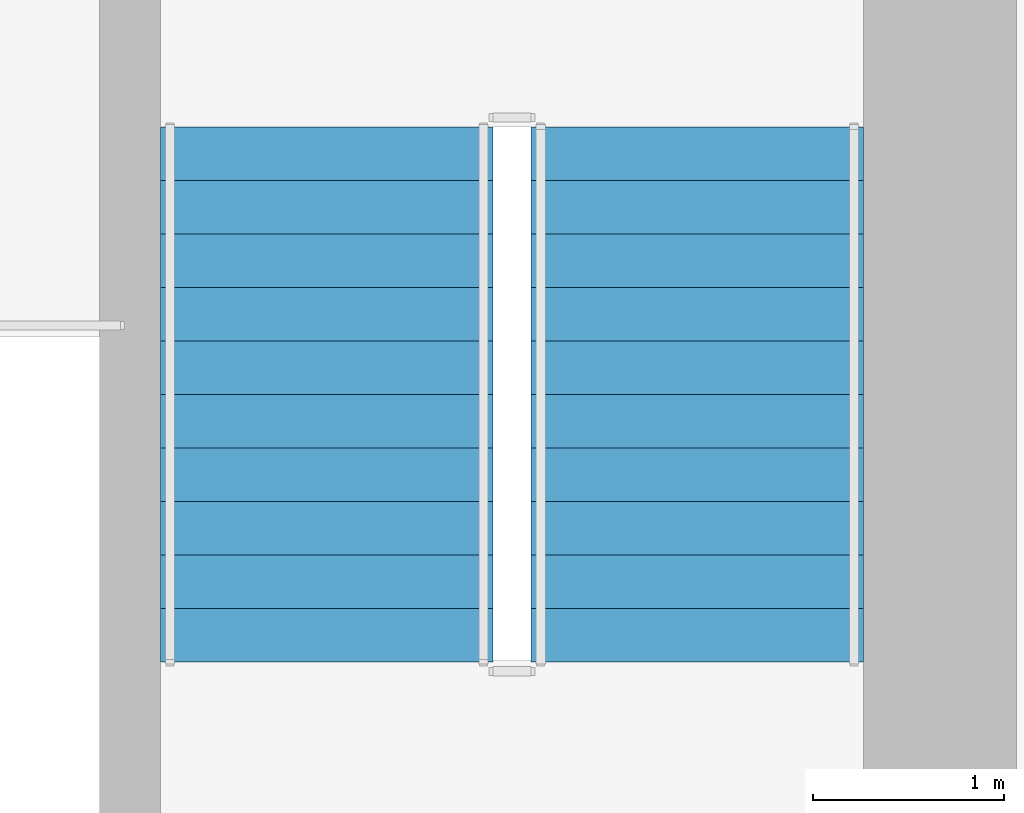
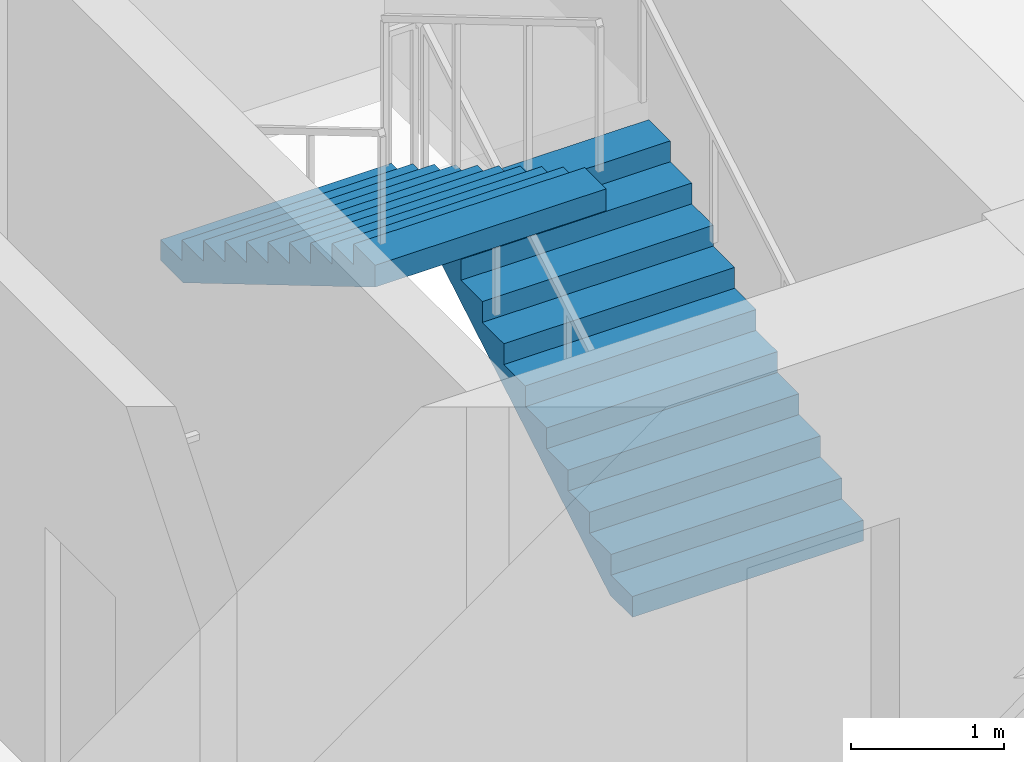
# One storey, part 14 of 15: 2 stair flights, 1 element without a shape of its own.
"""IFC4 building model written with IfcOpenShell, lengths in metres."""

from ifc_helpers import new_model, si_unit, direction, frame, origin, place, context, subcontext, project, spatial, polyline, outline, extrude, material, type_object, element, aggregate, save


model = new_model("IFC4")

# Units and contexts
model_context = context("Model", 3, precision=1e-05, world=origin(), true_north=direction((0.0, 1.0)))
body_context = subcontext(model_context, "Body", "Model", "MODEL_VIEW")
ifc_project = project(units=[si_unit("LENGTHUNIT", "METRE"), si_unit("AREAUNIT", "SQUARE_METRE"), si_unit("VOLUMEUNIT", "CUBIC_METRE"), si_unit("PLANEANGLEUNIT", "RADIAN"), si_unit("MASSUNIT", "GRAM", prefix="KILO")], contexts=[model_context])

# Site, building, storey
site_placement = place(None, origin())
site = spatial("IfcSite", under=ifc_project, at=site_placement, CompositionType="ELEMENT")
building_placement = place(site_placement, origin())
building = spatial("IfcBuilding", under=site, at=building_placement, Name="Talyreon Biosciences Tower", CompositionType="ELEMENT")
storey_placement = place(building_placement, frame((0.0, 0.0, 127.199951171875)))
storey = spatial("IfcBuildingStorey", under=building, at=storey_placement, Name="L33", CompositionType="ELEMENT", Elevation=127.199951171875)

# Stair, stair flights
ifc_material = material(Name="Concrete C40/50", Category="concrete")
stair_type = type_object("IfcStairType", Name="DoglegEscapeStair_3650", PredefinedType="HALF_TURN_STAIR", material=ifc_material)
stair_placement = place(storey_placement, origin())
stair = element("IfcStair", 1, at=stair_placement, inside=storey, type_object=stair_type, Name="L33 Core Escape Stair 2", PredefinedType="HALF_TURN_STAIR")
stair_flight_type = type_object("IfcStairFlightType", Name="PrecastStairFlight_3650", PredefinedType="STRAIGHT", material=ifc_material)
stair_flight_1_placement = place(storey_placement, frame((72.8798828125, 63.39990234375, 0.0), z_axis=(0.0, 0.0, 1.0), x_axis=(0.0, 1.0, 0.0)))
stair_flight_1 = element("IfcStairFlight", 2, at=stair_flight_1_placement, type_object=stair_flight_type, Name="ST-2 flight 1", NumberOfRisers=11, NumberOfTreads=10, PredefinedType="STRAIGHT", RiserHeight=0.165909091, TreadLength=0.28, context=body_context, shape_type="SweptSolid", body=[
    extrude(outline(polyline([(0.0, 0.0), (0.0, 0.166015625), (0.280029296875, 0.166015625), (0.280029296875, 0.331787109375), (0.56005859375, 0.331787109375), (0.56005859375, 0.497802734375), (0.840087890625, 0.497802734375), (0.840087890625, 0.66357421875), (1.1201171875, 0.66357421875), (1.1201171875, 0.82958984375), (1.39990234375, 0.82958984375), (1.39990234375, 0.995361328125), (1.679931640625, 0.995361328125), (1.679931640625, 1.161376953125), (1.9599609375, 1.161376953125), (1.9599609375, 1.327392578125), (2.239990234375, 1.327392578125), (2.239990234375, 1.4931640625), (2.52001953125, 1.4931640625), (2.52001953125, 1.6591796875), (2.800048828125, 1.6591796875), (2.800048828125, 1.824951171875), (2.800048828125, 1.48486328125), (0.2939453125, 0.0), (0.0, 0.0)])), frame((0.0, 0.8701171875, 0.0), z_axis=(0.0, -1.0, 0.0), x_axis=(1.0, 0.0, 0.0)), (0.0, 0.0, 1.0), 1.739990234375),
])
stair_flight_2_placement = place(storey_placement, frame((70.93994140625, 66.199951171875, 1.824951171875), z_axis=(0.0, 0.0, 1.0), x_axis=(0.0, -1.0, 0.0)))
stair_flight_2 = element("IfcStairFlight", 3, at=stair_flight_2_placement, type_object=stair_flight_type, Name="ST-2 flight 2", NumberOfRisers=11, NumberOfTreads=10, PredefinedType="STRAIGHT", RiserHeight=0.165909091, TreadLength=0.28, context=body_context, shape_type="SweptSolid", body=[
    extrude(outline(polyline([(0.0, 0.0), (0.0, 0.166015625), (0.280029296875, 0.166015625), (0.280029296875, 0.331787109375), (0.56005859375, 0.331787109375), (0.56005859375, 0.497802734375), (0.840087890625, 0.497802734375), (0.840087890625, 0.66357421875), (1.1201171875, 0.66357421875), (1.1201171875, 0.82958984375), (1.39990234375, 0.82958984375), (1.39990234375, 0.995361328125), (1.679931640625, 0.995361328125), (1.679931640625, 1.161376953125), (1.9599609375, 1.161376953125), (1.9599609375, 1.327392578125), (2.239990234375, 1.327392578125), (2.239990234375, 1.4931640625), (2.52001953125, 1.4931640625), (2.52001953125, 1.6591796875), (2.800048828125, 1.6591796875), (2.800048828125, 1.824951171875), (2.800048828125, 1.48486328125), (0.2939453125, 0.0), (0.0, 0.0)])), frame((0.0, 0.8701171875, 0.0), z_axis=(0.0, -1.0, 0.0), x_axis=(1.0, 0.0, 0.0)), (0.0, 0.0, 1.0), 1.739990234375),
])
aggregate(stair, [stair_flight_1, stair_flight_2])

save(model, "model.ifc")
